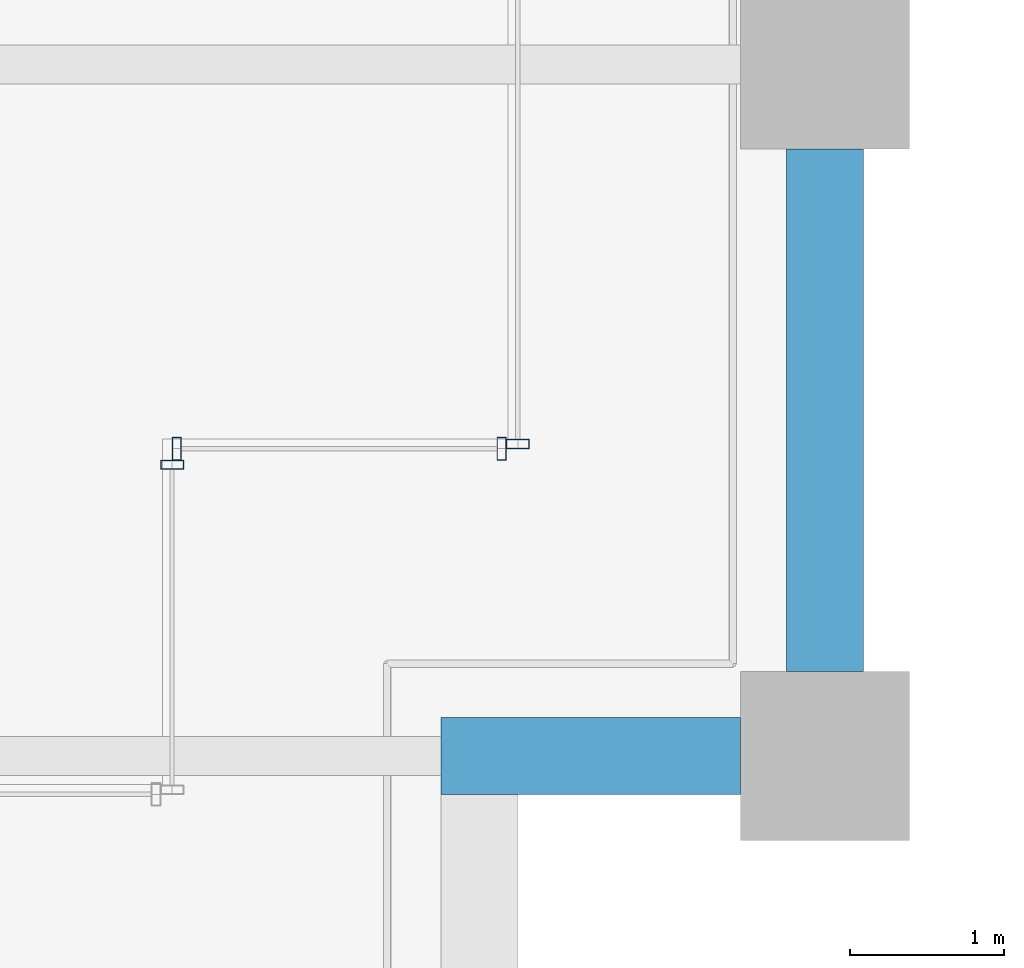
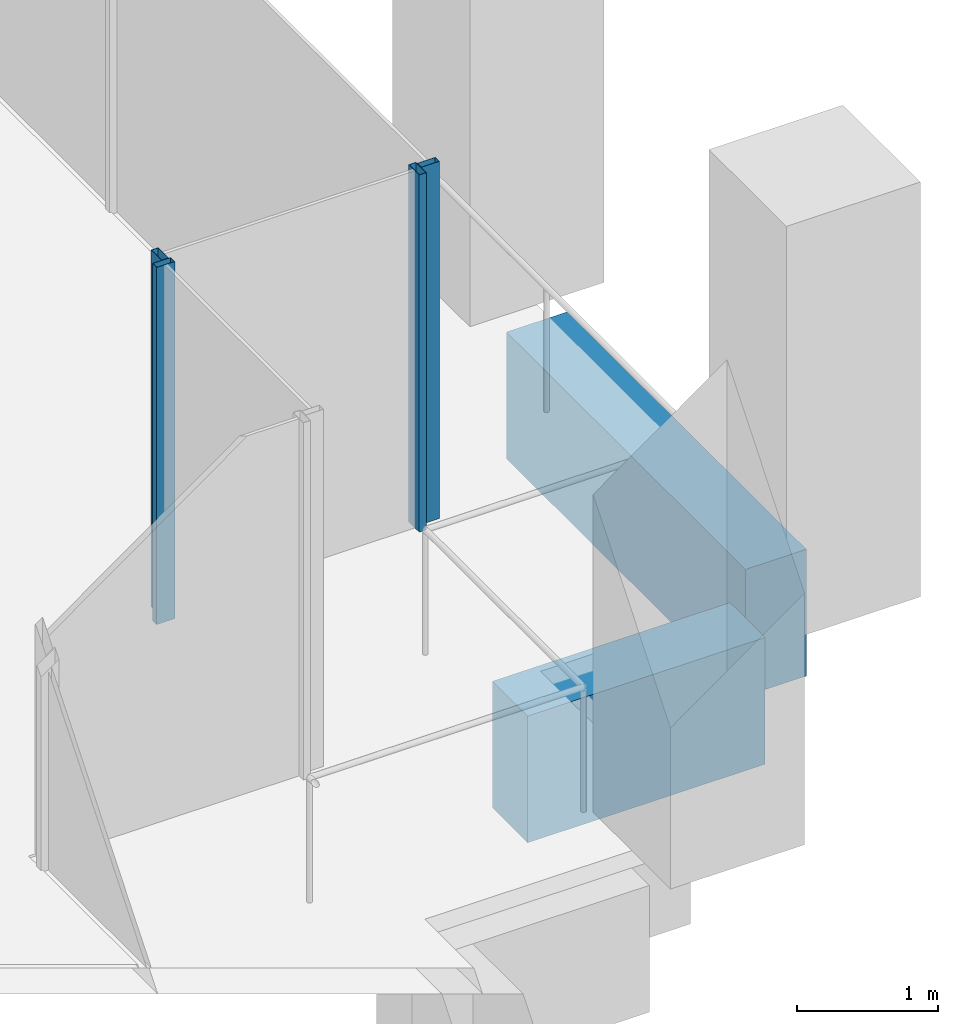
# One storey, part 16 of 56: 4 members, 2 beams, 3 elements without a shape of their own.
"""IFC4 building model written with IfcOpenShell, lengths in metres."""

import ifcopenshell
import ifcopenshell.guid

model = None  # the IFC model being written
_history = None  # IfcOwnerHistory: only IFC2X3 demands one
_inside = {}  # id of a spatial element -> (the spatial element, [elements in it])
_under = {}  # id of a project, library or spatial element -> (it, [spatial elements below it])
_declared = {}  # id of a project -> (the project, [libraries it declares])
_typed = {}  # id of a type object -> (the type object, [elements of that type])
_made_of = {}  # id of a material, layer set ... -> (it, [elements and type objects made of it])


def new_model(schema):
    """Start an empty IFC model of exactly this schema.

    Asked for "IFC4X3", IfcOpenShell would pick the latest addendum, in which some entities
    have other attributes; the version numbers below select the first issue.
    IFC2X3 requires an IfcOwnerHistory on every rooted entity: one is made here for all.
    """
    global model, _history
    if schema == "IFC4X3":
        model = ifcopenshell.file(schema_version=(4, 3, 0, 0))
    else:
        model = ifcopenshell.file(schema=schema)
    _inside.clear()
    _under.clear()
    _declared.clear()
    _typed.clear()
    _made_of.clear()
    _history = None
    if model.schema == "IFC2X3":
        org = make("IfcOrganization", Name="unknown")
        user = make(
            "IfcPersonAndOrganization",
            ThePerson=make("IfcPerson", FamilyName="unknown"),
            TheOrganization=org,
        )
        app = make(
            "IfcApplication",
            ApplicationDeveloper=org,
            Version="unknown",
            ApplicationFullName="unknown",
            ApplicationIdentifier="unknown",
        )
        _history = make(
            "IfcOwnerHistory",
            OwningUser=user,
            OwningApplication=app,
            ChangeAction="ADDED",
            CreationDate=0,
        )
    return model


def make(cls, **values):
    """One entity of the class cls with the attributes given. An attribute that is None is left unset."""
    return model.create_entity(
        cls, **{name: value for name, value in values.items() if value is not None}
    )


def rooted(cls, **values):
    """An entity with a GlobalId (a new one), such as an element, a storey or a relation."""
    return make(cls, GlobalId=ifcopenshell.guid.new(), OwnerHistory=_history, **values)


def si_unit(unit_type, name, prefix=None):
    """IfcSIUnit, for example si_unit("LENGTHUNIT", "METRE", prefix="MILLI")."""
    return make("IfcSIUnit", UnitType=unit_type, Prefix=prefix, Name=name)


def assignment(units):
    """IfcUnitAssignment: the units of a project."""
    return None if units is None else make("IfcUnitAssignment", Units=units)


def point(xyz):
    """IfcCartesianPoint."""
    return None if xyz is None else make("IfcCartesianPoint", Coordinates=xyz)


def direction(xyz):
    """IfcDirection."""
    return None if xyz is None else make("IfcDirection", DirectionRatios=xyz)


def frame(location, z_axis=None, x_axis=None):
    """IfcAxis2Placement3D, a coordinate frame: its origin and axes. An axis left out is left unset."""
    return make(
        "IfcAxis2Placement3D",
        Location=point(location),
        Axis=direction(z_axis),
        RefDirection=direction(x_axis),
    )


def frame_2d(location, x_axis=None):
    """IfcAxis2Placement2D, a coordinate frame in the plane: its origin and x axis."""
    return make(
        "IfcAxis2Placement2D", Location=point(location), RefDirection=direction(x_axis)
    )


def origin():
    """The frame at (0, 0, 0) with its axes left unset."""
    return frame((0.0, 0.0, 0.0))


def origin_2d():
    """The frame at (0, 0) in the plane with its x axis left unset."""
    return frame_2d((0.0, 0.0))


def place(relative_to, where):
    """IfcLocalPlacement: puts the frame where relative to a parent placement (None: the world)."""
    return make(
        "IfcLocalPlacement", PlacementRelTo=relative_to, RelativePlacement=where
    )


def context(
    kind, dimensions, precision=None, world=None, true_north=None, identifier=None
):
    """IfcGeometricRepresentationContext, for example the 3D "Model" context."""
    return make(
        "IfcGeometricRepresentationContext",
        ContextIdentifier=identifier,
        ContextType=kind,
        CoordinateSpaceDimension=dimensions,
        Precision=precision,
        WorldCoordinateSystem=world,
        TrueNorth=true_north,
    )


def subcontext(parent, identifier, kind, view, scale=None):
    """IfcGeometricRepresentationSubContext, for example "Body" below "Model"."""
    return make(
        "IfcGeometricRepresentationSubContext",
        ContextIdentifier=identifier,
        ContextType=kind,
        ParentContext=parent,
        TargetScale=scale,
        TargetView=view,
    )


def project(units=None, contexts=None):
    """IfcProject with its units and contexts."""
    return rooted(
        "IfcProject",
        Name="project",
        RepresentationContexts=contexts,
        UnitsInContext=assignment(units),
    )


def spatial(cls, under=None, at=None, **own):
    """A site, building, storey or space (cls), placed at a placement, below another one or the project."""
    s = rooted(cls, ObjectPlacement=at, **own)
    if under is not None:
        _under.setdefault(under.id(), (under, []))[1].append(s)
    return s


def profile(cls, at=None, kind="AREA", **sizes):
    """A parametric profile (cls). Its sizes go by their IFC names, for example OverallWidth=200.0."""
    return make(cls, ProfileType=kind, Position=at, **sizes)


def rectangle(**sizes):
    """IfcRectangleProfileDef."""
    return profile("IfcRectangleProfileDef", **sizes)


def hollow_rectangle(**sizes):
    """IfcRectangleHollowProfileDef."""
    return profile("IfcRectangleHollowProfileDef", **sizes)


def extrude(swept, where, along, depth):
    """IfcExtrudedAreaSolid: the profile swept, set in the frame where, extruded along a direction by depth."""
    return make(
        "IfcExtrudedAreaSolid",
        SweptArea=swept,
        Position=where,
        ExtrudedDirection=direction(along),
        Depth=depth,
    )


def shape(context_of_items, identifier, shape_type, items):
    """IfcShapeRepresentation: the items that make up one representation, for example the "Body"."""
    return make(
        "IfcShapeRepresentation",
        ContextOfItems=context_of_items,
        RepresentationIdentifier=identifier,
        RepresentationType=shape_type,
        Items=items,
    )


def material(Name=None, Category=None):
    """IfcMaterial."""
    return make("IfcMaterial", Name=Name, Category=Category)


def material_profile(
    of_material, cross_section, Name=None, Category=None, Priority=None
):
    """IfcMaterialProfile: a cross section and its material."""
    return make(
        "IfcMaterialProfile",
        Name=Name,
        Material=of_material,
        Profile=cross_section,
        Priority=Priority,
        Category=Category,
    )


def profile_set(profiles, Name=None, composite=None):
    """IfcMaterialProfileSet."""
    return make(
        "IfcMaterialProfileSet",
        Name=Name,
        MaterialProfiles=profiles,
        CompositeProfile=composite,
    )


def made_of(thing, what):
    """Note that an element or type object is made of a material, layer set ...; save() writes the relation."""
    if what is not None:
        _made_of.setdefault(what.id(), (what, []))[1].append(thing)
    return thing


def type_object(cls, material=None, **own):
    """A type object (cls), such as IfcWallType, which elements share."""
    return made_of(rooted(cls, **own), material)


def element(
    cls,
    number,
    at=None,
    inside=None,
    cuts=None,
    type_object=None,
    material=None,
    context=None,
    identifier="Body",
    shape_type=None,
    held_by="IfcProductDefinitionShape",
    body=None,
    shapes=None,
    **own,
):
    """One element of the class cls, such as IfcWall. Its Tag is "e" and its number.

    at: its placement. inside: the storey or other place that contains it. cuts: it is an
    opening in that element (IfcRelVoidsElement). A single representation is given by context,
    identifier, shape_type and body (its items); several are given by shapes. held_by: the class
    of the entity that holds the representations. save() writes the other relations.
    """
    e = rooted(cls, Tag="e%d" % number, ObjectPlacement=at, **own)
    if body is not None:
        shapes = [shape(context, identifier, shape_type, body)]
    if shapes is not None:
        e.Representation = make(held_by, Representations=shapes)
    if inside is not None:
        _inside.setdefault(inside.id(), (inside, []))[1].append(e)
    if cuts is not None:
        rooted(
            "IfcRelVoidsElement", RelatingBuildingElement=cuts, RelatedOpeningElement=e
        )
    if type_object is not None:
        _typed.setdefault(type_object.id(), (type_object, []))[1].append(e)
    return made_of(e, material)


def aggregate(whole, parts):
    """IfcRelAggregates: a whole, such as a stair, and the parts it consists of."""
    return rooted("IfcRelAggregates", RelatingObject=whole, RelatedObjects=parts)


def save(model, path):
    """Write the relations noted so far, then the file.

    IfcRelAggregates (storeys below a building ...), IfcRelContainedInSpatialStructure (elements
    in a storey), IfcRelDefinesByType, IfcRelAssociatesMaterial and IfcRelDeclares: one each for
    every whole, place, type object, material and project.
    """
    for whole, parts in _under.values():
        aggregate(whole, parts)
    for where, things in _inside.values():
        rooted(
            "IfcRelContainedInSpatialStructure",
            RelatedElements=things,
            RelatingStructure=where,
        )
    for kind, things in _typed.values():
        rooted("IfcRelDefinesByType", RelatedObjects=things, RelatingType=kind)
    for what, things in _made_of.values():
        rooted("IfcRelAssociatesMaterial", RelatedObjects=things, RelatingMaterial=what)
    for by, libraries in _declared.values():
        rooted("IfcRelDeclares", RelatingContext=by, RelatedDefinitions=libraries)
    model.write(path)


model = new_model("IFC4")

# Units and contexts
model_context = context("Model", 3, precision=1e-05, world=origin(), true_north=direction((0.0, 1.0)))
body_context = subcontext(model_context, "Body", "Model", "MODEL_VIEW")
ifc_project = project(units=[si_unit("LENGTHUNIT", "METRE"), si_unit("AREAUNIT", "SQUARE_METRE"), si_unit("VOLUMEUNIT", "CUBIC_METRE"), si_unit("PLANEANGLEUNIT", "RADIAN"), si_unit("MASSUNIT", "GRAM", prefix="KILO")], contexts=[model_context])

# Site, building, storey
site_placement = place(None, origin())
site = spatial("IfcSite", under=ifc_project, at=site_placement, CompositionType="ELEMENT")
building_placement = place(site_placement, origin())
building = spatial("IfcBuilding", under=site, at=building_placement, Name="Altepetl Exchange Towers", CompositionType="ELEMENT")
storey_placement = place(building_placement, frame((0.0, 0.0, 83.39990234375)))
storey = spatial("IfcBuildingStorey", under=building, at=storey_placement, Name="L20", CompositionType="ELEMENT", Elevation=83.39990234375)

# Curtain wall, member
ifc_material_1 = material(Name="Aluminium 6063-T6 glazing", Category="aluminium")
curtain_wall_type = type_object("IfcCurtainWallType", Name="Loggia glazing system", PredefinedType="NOTDEFINED", material=ifc_material_1)
curtain_wall_1_placement = place(storey_placement, origin())
curtain_wall_1 = element("IfcCurtainWall", 1, at=curtain_wall_1_placement, inside=storey, type_object=curtain_wall_type, Name="CW1 run", PredefinedType="NOTDEFINED")
ifc_material_2 = material(Name="Aluminium 6063-T6", Category="aluminium")
ifc_material_profile_1 = material_profile(ifc_material_2, hollow_rectangle(XDim=0.06005859375, YDim=0.14990234375, WallThickness=0.0029296875, at=origin_2d()), Name="Mullion 60x150 aluminium")
ifc_profile_set_1 = profile_set([ifc_material_profile_1], Name="Aluminium 6063-T6")
member_type = type_object("IfcMemberType", Name="Mullion 60x150 aluminium", PredefinedType="MULLION", material=ifc_profile_set_1)
member_1_placement = place(storey_placement, frame((67.75, 33.39501953125, 0.0), z_axis=(0.0, 0.0, 1.0), x_axis=(0.0, 1.0, 0.0)))
member_1 = element("IfcMember", 2, at=member_1_placement, type_object=member_type, Name="MU1 mullion", PredefinedType="MULLION", context=body_context, shape_type="SweptSolid", body=[
    extrude(hollow_rectangle(XDim=0.06005859375, YDim=0.14990234375, WallThickness=0.0029296875, at=origin_2d()), origin(), (0.0, 0.0, 1.0), 3.10009765625),
])
aggregate(curtain_wall_1, [member_1])

# Curtain wall, members
curtain_wall_2_placement = place(storey_placement, origin())
curtain_wall_2 = element("IfcCurtainWall", 3, at=curtain_wall_2_placement, inside=storey, type_object=curtain_wall_type, Name="CW1 run", PredefinedType="NOTDEFINED")
member_2_placement = place(storey_placement, frame((67.780029296875, 33.5, 0.0)))
member_2 = element("IfcMember", 4, at=member_2_placement, type_object=member_type, Name="MU1 mullion", PredefinedType="MULLION", context=body_context, shape_type="SweptSolid", body=[
    extrude(hollow_rectangle(XDim=0.06005859375, YDim=0.14990234375, WallThickness=0.0029296875, at=origin_2d()), origin(), (0.0, 0.0, 1.0), 3.10009765625),
])
member_3_placement = place(storey_placement, frame((69.89501953125, 33.5, 0.0)))
member_3 = element("IfcMember", 5, at=member_3_placement, type_object=member_type, Name="MU1 mullion", PredefinedType="MULLION", context=body_context, shape_type="SweptSolid", body=[
    extrude(hollow_rectangle(XDim=0.06005859375, YDim=0.14990234375, WallThickness=0.0029296875, at=origin_2d()), origin(), (0.0, 0.0, 1.0), 3.10009765625),
])
aggregate(curtain_wall_2, [member_2, member_3])

# Curtain wall, member
curtain_wall_3_placement = place(storey_placement, origin())
curtain_wall_3 = element("IfcCurtainWall", 6, at=curtain_wall_3_placement, inside=storey, type_object=curtain_wall_type, Name="CW1 run", PredefinedType="NOTDEFINED")
member_4_placement = place(storey_placement, frame((70.0, 33.530029296875, 0.0), z_axis=(0.0, 0.0, 1.0), x_axis=(0.0, 1.0, 0.0)))
member_4 = element("IfcMember", 7, at=member_4_placement, type_object=member_type, Name="MU1 mullion", PredefinedType="MULLION", context=body_context, shape_type="SweptSolid", body=[
    extrude(hollow_rectangle(XDim=0.06005859375, YDim=0.14990234375, WallThickness=0.0029296875, at=origin_2d()), origin(), (0.0, 0.0, 1.0), 3.10009765625),
])
aggregate(curtain_wall_3, [member_4])

# Beams
ifc_material_3 = material(Name="Concrete C50/60 precast with cantera amarilla facing", Category="concrete")
ifc_material_profile_2 = material_profile(ifc_material_3, rectangle(XDim=0.5, YDim=1.10009765625, at=origin_2d()), Name="500 x 1100")
ifc_profile_set_2 = profile_set([ifc_material_profile_2], Name="Concrete C50/60 precast with cantera amarilla facing")
beam_type = type_object("IfcBeamType", Name="Spandrel beam 500x1100 cantera amarilla", PredefinedType="SPANDREL", material=ifc_profile_set_2)
beam_1_placement = place(storey_placement, frame((69.5, 31.5, -0.699951171875), z_axis=(1.0, 0.0, 0.0), x_axis=(0.0, 1.0, 0.0)))
element("IfcBeam", 8, at=beam_1_placement, inside=storey, type_object=beam_type, Name="sp:A:L20:011", PredefinedType="SPANDREL", context=body_context, shape_type="SweptSolid", body=[
    extrude(rectangle(XDim=0.5, YDim=1.10009765625, at=origin_2d()), origin(), (0.0, 0.0, 1.0), 1.949951171875),
])
beam_2_placement = place(storey_placement, frame((72.0, 32.050048828125, -0.699951171875), z_axis=(0.0, 1.0, 0.0), x_axis=(-1.0, 0.0, 0.0)))
element("IfcBeam", 9, at=beam_2_placement, inside=storey, type_object=beam_type, Name="sp:A:L20:012", PredefinedType="SPANDREL", context=body_context, shape_type="SweptSolid", body=[
    extrude(rectangle(XDim=0.5, YDim=1.10009765625, at=origin_2d()), origin(), (0.0, 0.0, 1.0), 3.39990234375),
])

save(model, "model.ifc")
